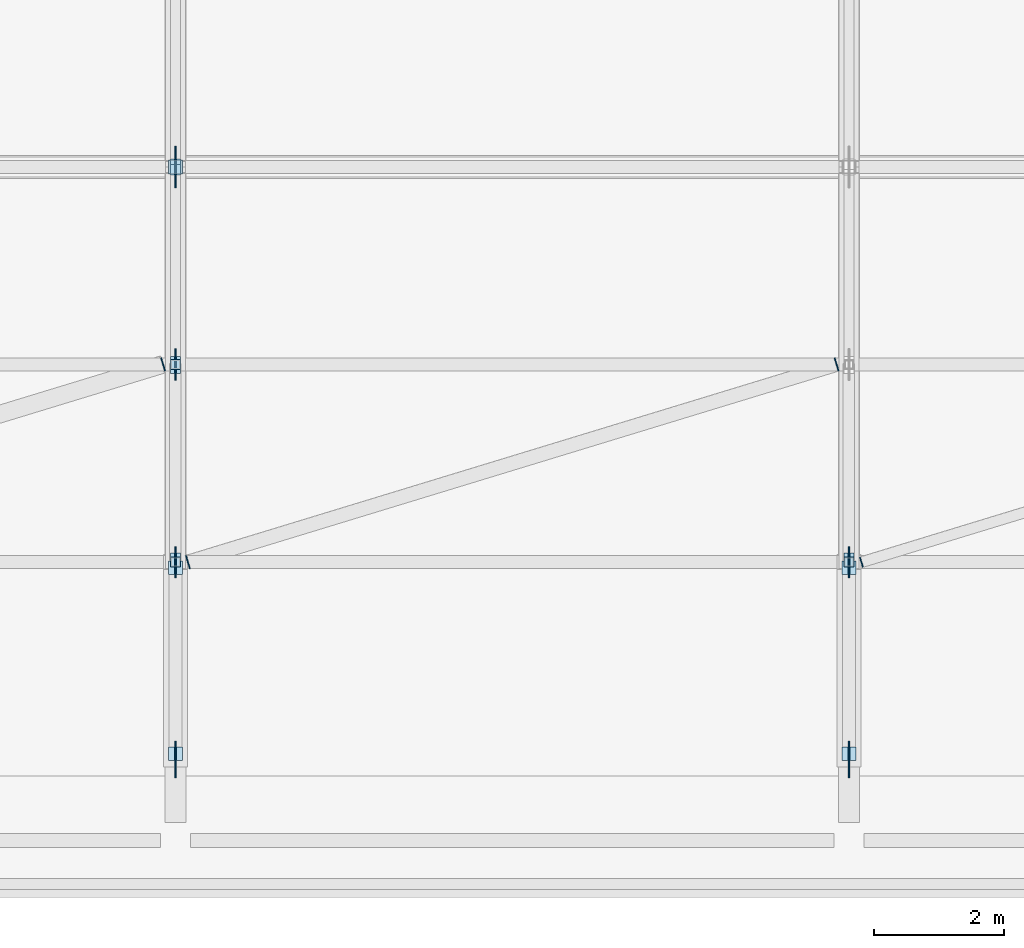
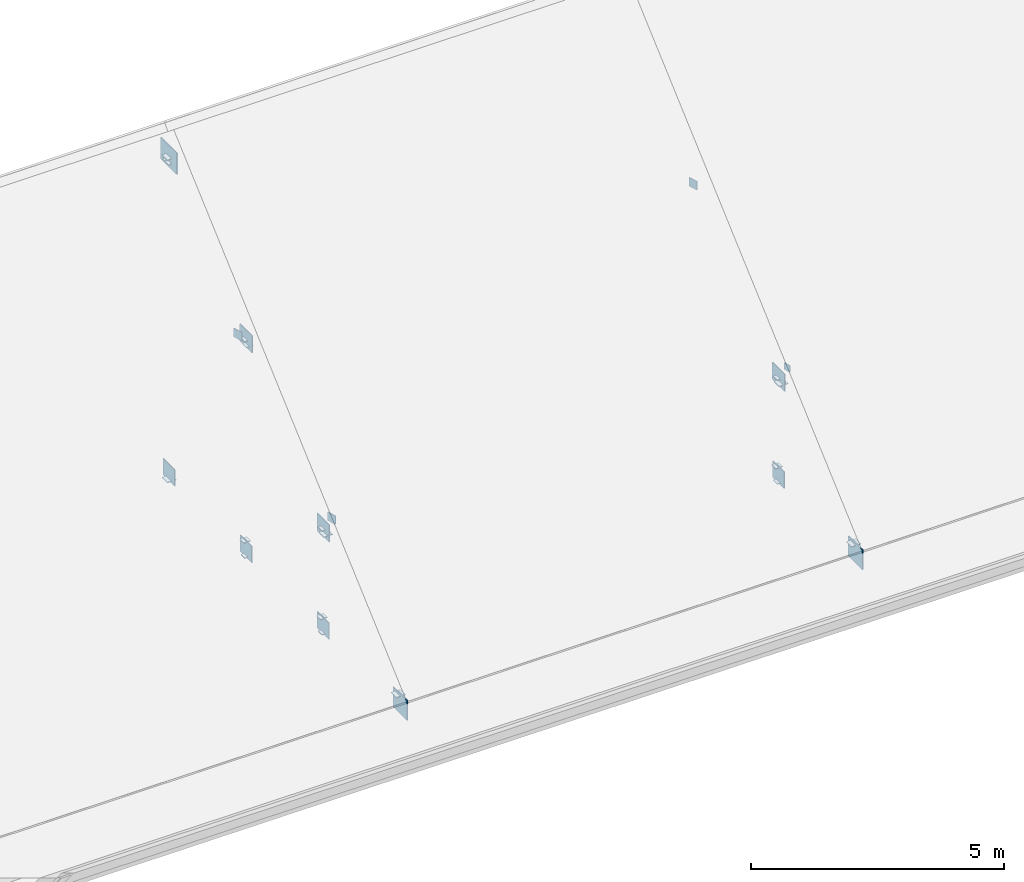
# One storey, part 49 of 86: 32 plates.
"""IFC4 building model written with IfcOpenShell, lengths in metres."""

from ifc_helpers import new_model, si_unit, derived_unit, direction, frame, origin, origin_2d, place, context, subcontext, project, spatial, rectangle, extrude, material, layer, layer_set, type_object, element, save


model = new_model("IFC4")

# Units and contexts
model_context = context("Model", 3, precision=1e-05, world=origin(), true_north=direction((0.0, 1.0)))
body_context = subcontext(model_context, "Body", "Model", "MODEL_VIEW")
ifc_project = project(units=[si_unit("LENGTHUNIT", "METRE"), si_unit("AREAUNIT", "SQUARE_METRE"), si_unit("VOLUMEUNIT", "CUBIC_METRE"), si_unit("PLANEANGLEUNIT", "RADIAN"), si_unit("MASSUNIT", "GRAM", prefix="KILO"), derived_unit("THERMALTRANSMITTANCEUNIT", [(si_unit("POWERUNIT", "WATT"), 1), (si_unit("LENGTHUNIT", "METRE"), -2), (si_unit("THERMODYNAMICTEMPERATUREUNIT", "KELVIN"), -1)])], contexts=[model_context])

# Site, building, storey
site_placement = place(None, origin())
site = spatial("IfcSite", under=ifc_project, at=site_placement, CompositionType="ELEMENT")
building_placement = place(site_placement, origin())
building = spatial("IfcBuilding", under=site, at=building_placement, Name="Braskholm Square Health Centre", CompositionType="ELEMENT")
storey_placement = place(building_placement, frame((0.0, 0.0, 13.5)))
storey = spatial("IfcBuildingStorey", under=building, at=storey_placement, Name="L04", CompositionType="ELEMENT", Elevation=13.5)

# Plates
ifc_material = material(Name="Steel ASTM A572 Grade 50", Category="steel")
ifc_layer_1 = layer(ifc_material, 0.01611328125)
ifc_layer_set_1 = layer_set([ifc_layer_1], Name="Steel ASTM A572 Grade 50")
plate_type_1 = type_object("IfcPlateType", Name="CapPlateHSS152TN8", PredefinedType="USERDEFINED", material=ifc_layer_set_1)
for number, where, z_axis, x_axis, name in (
    (1, (89.199951171875, 91.5, -0.2861328125), (0.0, 0.0, 1.0), (1.0, 0.0, 0.0), "Hollow section end cap plate 0137"),
    (2, (89.199951171875, 91.5, 2.221923828125), (0.0, 0.0, 1.0), (1.0, 0.0, 0.0), "Hollow section end cap plate 0138"),
    (3, (89.199951171875, 94.550048828125, -0.2861328125), (0.0, 0.0, 1.0), (1.0, 0.0, 0.0), "Hollow section end cap plate 0139"),
    (4, (89.199951171875, 94.550048828125, 4.941162109375), (0.0, 0.0, 1.0), (1.0, 0.0, 0.0), "Hollow section end cap plate 0140"),
    (5, (89.199951171875, 91.55908203125, 0.046875), (0.0, 0.0, 1.0), (1.0, 0.0, 0.0), "Hollow section end cap plate 0149"),
    (6, (89.199951171875, 94.490966796875, 4.837890625), (0.0, 0.0, 1.0), (1.0, 0.0, 0.0), "Hollow section end cap plate 0150"),
    (7, (89.199951171875, 94.592041015625, 0.055908203125), (0.0, 0.0, 1.0), (1.0, 0.0, 0.0), "Hollow section end cap plate 0151"),
    (8, (89.199951171875, 97.55810546875, 7.387939453125), (0.0, 0.0, 1.0), (1.0, 0.0, 0.0), "Hollow section end cap plate 0152"),
    (9, (89.199951171875, 97.64208984375, 7.387939453125), (0.0, 0.0, 1.0), (1.0, 0.0, 0.0), "Hollow section end cap plate 0154"),
    (10, (99.60009765625, 91.5, -0.2861328125), (0.0, 0.0, 1.0), (1.0, 0.0, 0.0), "Hollow section end cap plate 0171"),
    (11, (99.60009765625, 91.5, 2.221923828125), (0.0, 0.0, 1.0), (1.0, 0.0, 0.0), "Hollow section end cap plate 0172"),
    (12, (99.60009765625, 91.55908203125, 0.046875), (0.0, 0.0, 1.0), (1.0, 0.0, 0.0), "Hollow section end cap plate 0183"),
):
    element("IfcPlate", number, at=place(storey_placement, frame(where, z_axis=z_axis, x_axis=x_axis)), inside=storey, type_object=plate_type_1, Name=name, ObjectType="CAP_PLATE", PredefinedType="USERDEFINED", context=body_context, shape_type="SweptSolid", body=[
        extrude(rectangle(XDim=0.159912109375, YDim=0.159912109375, at=origin_2d()), origin(), (0.0, 0.0, 1.0), 0.01611328125),
    ])
plate_1_placement = place(storey_placement, frame((99.7919921875, 91.498046875, 2.322265625), z_axis=(0.0, 0.0, 1.0), x_axis=(0.956498453883, 0.291737395134, 0.0)))
element("IfcPlate", 13, at=plate_1_placement, inside=storey, type_object=plate_type_1, Name="Hollow section end cap plate 0313", ObjectType="CAP_PLATE", PredefinedType="USERDEFINED", context=body_context, shape_type="SweptSolid", body=[
    extrude(rectangle(XDim=0.01611328125, YDim=0.159912109375, at=origin_2d()), origin(), (0.0, 0.0, 1.0), 0.159912109375),
])
ifc_layer_2 = layer(ifc_material, 0.01611328125)
ifc_layer_set_2 = layer_set([ifc_layer_2], Name="Steel ASTM A572 Grade 50")
plate_type_2 = type_object("IfcPlateType", Name="CapPlateHSS203TN6", PredefinedType="USERDEFINED", material=ifc_layer_set_2)
for number, where, z_axis, x_axis, name in (
    (14, (89.199951171875, 97.60009765625, -0.2861328125), (0.0, 0.0, 1.0), (1.0, 0.0, 0.0), "Hollow section end cap plate 0141"),
    (15, (89.199951171875, 97.60009765625, 7.5), (0.0, 0.0, 1.0), (1.0, 0.0, 0.0), "Hollow section end cap plate 0142"),
    (16, (89.199951171875, 88.5400390625, 0.017822265625), (0.0, 0.0, 1.0), (1.0, 0.0, 0.0), "Hollow section end cap plate 0147"),
    (17, (89.199951171875, 91.409912109375, 2.14794921875), (0.0, 0.0, 1.0), (1.0, 0.0, 0.0), "Hollow section end cap plate 0148"),
    (18, (99.60009765625, 88.5400390625, 0.017822265625), (0.0, 0.0, 1.0), (1.0, 0.0, 0.0), "Hollow section end cap plate 0181"),
    (19, (99.60009765625, 91.409912109375, 2.14794921875), (0.0, 0.0, 1.0), (1.0, 0.0, 0.0), "Hollow section end cap plate 0182"),
):
    element("IfcPlate", number, at=place(storey_placement, frame(where, z_axis=z_axis, x_axis=x_axis)), inside=storey, type_object=plate_type_2, Name=name, ObjectType="CAP_PLATE", PredefinedType="USERDEFINED", context=body_context, shape_type="SweptSolid", body=[
        extrude(rectangle(XDim=0.2099609375, YDim=0.2099609375, at=origin_2d()), origin(), (0.0, 0.0, 1.0), 0.01611328125),
    ])
for number, where, z_axis, x_axis, name in (
    (20, (89.008056640625, 94.552001953125, 5.01611328125), (0.0, 0.0, 1.0), (0.956498453883, 0.291737395134, 0.0), "Hollow section end cap plate 0298"),
    (21, (89.39208984375, 91.498046875, 2.297119140625), (0.0, 0.0, 1.0), (0.956498453883, 0.291737395134, 0.0), "Hollow section end cap plate 0305"),
    (22, (99.407958984375, 94.552001953125, 5.01611328125), (0.0, 0.0, 1.0), (0.956498453883, 0.291737395134, 0.0), "Hollow section end cap plate 0306"),
):
    element("IfcPlate", number, at=place(storey_placement, frame(where, z_axis=z_axis, x_axis=x_axis)), inside=storey, type_object=plate_type_2, Name=name, ObjectType="CAP_PLATE", PredefinedType="USERDEFINED", context=body_context, shape_type="SweptSolid", body=[
        extrude(rectangle(XDim=0.01611328125, YDim=0.2099609375, at=origin_2d()), origin(), (0.0, 0.0, 1.0), 0.2099609375),
    ])
ifc_layer_3 = layer(ifc_material, 0.02001953125)
ifc_layer_set_3 = layer_set([ifc_layer_3], Name="Steel ASTM A572 Grade 50")
plate_type_3 = type_object("IfcPlateType", Name="NodeGussetBottomPanelTN3", PredefinedType="USERDEFINED", material=ifc_layer_set_3)
for number, where, z_axis, x_axis, name in (
    (23, (89.199951171875, 91.5, -0.320068359375), (0.0, 0.0, 1.0), (1.0, 0.0, 0.0), "Truss node gusset plate 0162"),
    (24, (89.199951171875, 94.550048828125, -0.320068359375), (0.0, 0.0, 1.0), (1.0, 0.0, 0.0), "Truss node gusset plate 0163"),
    (25, (89.199951171875, 97.60009765625, -0.320068359375), (0.0, 0.0, 1.0), (1.0, 0.0, 0.0), "Truss node gusset plate 0164"),
    (26, (99.60009765625, 91.5, -0.320068359375), (0.0, 0.0, 1.0), (1.0, 0.0, 0.0), "Truss node gusset plate 0196"),
):
    element("IfcPlate", number, at=place(storey_placement, frame(where, z_axis=z_axis, x_axis=x_axis)), inside=storey, type_object=plate_type_3, Name=name, ObjectType="GUSSET_PLATE", PredefinedType="USERDEFINED", context=body_context, shape_type="SweptSolid", body=[
        extrude(rectangle(XDim=0.02001953125, YDim=0.4599609375, at=origin_2d()), origin(), (0.0, 0.0, 1.0), 0.39990234375),
    ])
ifc_layer_4 = layer(ifc_material, 0.02392578125)
ifc_layer_set_4 = layer_set([ifc_layer_4], Name="Steel ASTM A572 Grade 50")
plate_type_4 = type_object("IfcPlateType", Name="NodeGussetHeelTN1", PredefinedType="USERDEFINED", material=ifc_layer_set_4)
for number, where, z_axis, x_axis, name in (
    (27, (89.199951171875, 88.449951171875, -0.39990234375), (0.0, 0.0, 1.0), (1.0, 0.0, 0.0), "Truss node gusset plate 0159"),
    (28, (99.60009765625, 88.449951171875, -0.39990234375), (0.0, 0.0, 1.0), (1.0, 0.0, 0.0), "Truss node gusset plate 0193"),
):
    element("IfcPlate", number, at=place(storey_placement, frame(where, z_axis=z_axis, x_axis=x_axis)), inside=storey, type_object=plate_type_4, Name=name, ObjectType="GUSSET_PLATE", PredefinedType="USERDEFINED", context=body_context, shape_type="SweptSolid", body=[
        extrude(rectangle(XDim=0.02392578125, YDim=0.56005859375, at=origin_2d()), origin(), (0.0, 0.0, 1.0), 0.47998046875),
    ])
ifc_layer_5 = layer(ifc_material, 0.02392578125)
ifc_layer_set_5 = layer_set([ifc_layer_5], Name="Steel ASTM A572 Grade 50")
plate_type_5 = type_object("IfcPlateType", Name="NodeGussetRidgeTN2", PredefinedType="USERDEFINED", material=ifc_layer_set_5)
plate_2_placement = place(storey_placement, frame((89.199951171875, 97.60009765625, 7.260009765625), z_axis=(0.0, 0.0, 1.0), x_axis=(1.0, 0.0, 0.0)))
element("IfcPlate", 29, at=plate_2_placement, inside=storey, type_object=plate_type_5, Name="Truss node gusset plate 0161", ObjectType="GUSSET_PLATE", PredefinedType="USERDEFINED", context=body_context, shape_type="SweptSolid", body=[
    extrude(rectangle(XDim=0.02392578125, YDim=0.639892578125, at=origin_2d()), origin(), (0.0, 0.0, 1.0), 0.52001953125),
])
ifc_layer_6 = layer(ifc_material, 0.02197265625)
ifc_layer_set_6 = layer_set([ifc_layer_6], Name="Steel ASTM A572 Grade 50")
plate_type_6 = type_object("IfcPlateType", Name="NodeGussetTopPanelTN4", PredefinedType="USERDEFINED", material=ifc_layer_set_6)
for number, where, z_axis, x_axis, name in (
    (30, (89.199951171875, 91.5, 2.031982421875), (0.0, 0.0, 1.0), (1.0, 0.0, 0.0), "Truss node gusset plate 0167"),
    (31, (89.199951171875, 94.550048828125, 4.7509765625), (0.0, 0.0, 1.0), (1.0, 0.0, 0.0), "Truss node gusset plate 0168"),
    (32, (99.60009765625, 91.5, 2.031982421875), (0.0, 0.0, 1.0), (1.0, 0.0, 0.0), "Truss node gusset plate 0201"),
):
    element("IfcPlate", number, at=place(storey_placement, frame(where, z_axis=z_axis, x_axis=x_axis)), inside=storey, type_object=plate_type_6, Name=name, ObjectType="GUSSET_PLATE", PredefinedType="USERDEFINED", context=body_context, shape_type="SweptSolid", body=[
        extrude(rectangle(XDim=0.02197265625, YDim=0.47998046875, at=origin_2d()), origin(), (0.0, 0.0, 1.0), 0.419921875),
    ])

save(model, "model.ifc")
